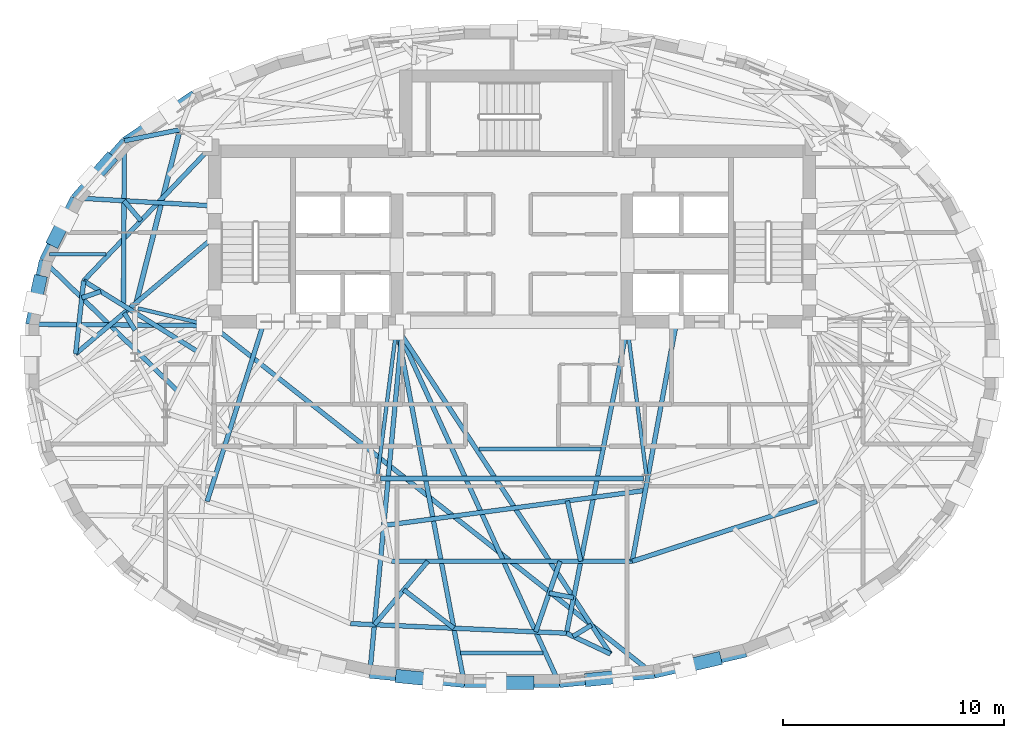
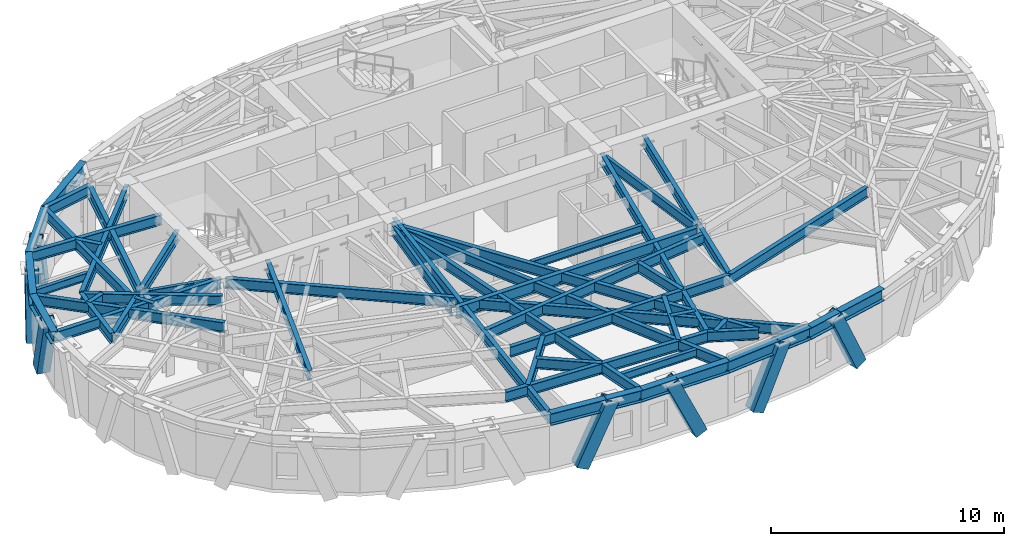
# One storey, part 2 of 12: 47 beams, 7 members.
"""IFC4 building model written with IfcOpenShell, lengths in metres."""

import ifcopenshell
import ifcopenshell.guid

model = None  # the IFC model being written
_history = None  # IfcOwnerHistory: only IFC2X3 demands one
_inside = {}  # id of a spatial element -> (the spatial element, [elements in it])
_under = {}  # id of a project, library or spatial element -> (it, [spatial elements below it])
_declared = {}  # id of a project -> (the project, [libraries it declares])
_typed = {}  # id of a type object -> (the type object, [elements of that type])
_made_of = {}  # id of a material, layer set ... -> (it, [elements and type objects made of it])


def new_model(schema):
    """Start an empty IFC model of exactly this schema.

    Asked for "IFC4X3", IfcOpenShell would pick the latest addendum, in which some entities
    have other attributes; the version numbers below select the first issue.
    IFC2X3 requires an IfcOwnerHistory on every rooted entity: one is made here for all.
    """
    global model, _history
    if schema == "IFC4X3":
        model = ifcopenshell.file(schema_version=(4, 3, 0, 0))
    else:
        model = ifcopenshell.file(schema=schema)
    _inside.clear()
    _under.clear()
    _declared.clear()
    _typed.clear()
    _made_of.clear()
    _history = None
    if model.schema == "IFC2X3":
        org = make("IfcOrganization", Name="unknown")
        user = make(
            "IfcPersonAndOrganization",
            ThePerson=make("IfcPerson", FamilyName="unknown"),
            TheOrganization=org,
        )
        app = make(
            "IfcApplication",
            ApplicationDeveloper=org,
            Version="unknown",
            ApplicationFullName="unknown",
            ApplicationIdentifier="unknown",
        )
        _history = make(
            "IfcOwnerHistory",
            OwningUser=user,
            OwningApplication=app,
            ChangeAction="ADDED",
            CreationDate=0,
        )
    return model


def make(cls, **values):
    """One entity of the class cls with the attributes given. An attribute that is None is left unset."""
    return model.create_entity(
        cls, **{name: value for name, value in values.items() if value is not None}
    )


def rooted(cls, **values):
    """An entity with a GlobalId (a new one), such as an element, a storey or a relation."""
    return make(cls, GlobalId=ifcopenshell.guid.new(), OwnerHistory=_history, **values)


def si_unit(unit_type, name, prefix=None):
    """IfcSIUnit, for example si_unit("LENGTHUNIT", "METRE", prefix="MILLI")."""
    return make("IfcSIUnit", UnitType=unit_type, Prefix=prefix, Name=name)


def assignment(units):
    """IfcUnitAssignment: the units of a project."""
    return None if units is None else make("IfcUnitAssignment", Units=units)


def point(xyz):
    """IfcCartesianPoint."""
    return None if xyz is None else make("IfcCartesianPoint", Coordinates=xyz)


def direction(xyz):
    """IfcDirection."""
    return None if xyz is None else make("IfcDirection", DirectionRatios=xyz)


def frame(location, z_axis=None, x_axis=None):
    """IfcAxis2Placement3D, a coordinate frame: its origin and axes. An axis left out is left unset."""
    return make(
        "IfcAxis2Placement3D",
        Location=point(location),
        Axis=direction(z_axis),
        RefDirection=direction(x_axis),
    )


def frame_2d(location, x_axis=None):
    """IfcAxis2Placement2D, a coordinate frame in the plane: its origin and x axis."""
    return make(
        "IfcAxis2Placement2D", Location=point(location), RefDirection=direction(x_axis)
    )


def origin():
    """The frame at (0, 0, 0) with its axes left unset."""
    return frame((0.0, 0.0, 0.0))


def origin_2d():
    """The frame at (0, 0) in the plane with its x axis left unset."""
    return frame_2d((0.0, 0.0))


def place(relative_to, where):
    """IfcLocalPlacement: puts the frame where relative to a parent placement (None: the world)."""
    return make(
        "IfcLocalPlacement", PlacementRelTo=relative_to, RelativePlacement=where
    )


def context(
    kind, dimensions, precision=None, world=None, true_north=None, identifier=None
):
    """IfcGeometricRepresentationContext, for example the 3D "Model" context."""
    return make(
        "IfcGeometricRepresentationContext",
        ContextIdentifier=identifier,
        ContextType=kind,
        CoordinateSpaceDimension=dimensions,
        Precision=precision,
        WorldCoordinateSystem=world,
        TrueNorth=true_north,
    )


def subcontext(parent, identifier, kind, view, scale=None):
    """IfcGeometricRepresentationSubContext, for example "Body" below "Model"."""
    return make(
        "IfcGeometricRepresentationSubContext",
        ContextIdentifier=identifier,
        ContextType=kind,
        ParentContext=parent,
        TargetScale=scale,
        TargetView=view,
    )


def project(units=None, contexts=None):
    """IfcProject with its units and contexts."""
    return rooted(
        "IfcProject",
        Name="project",
        RepresentationContexts=contexts,
        UnitsInContext=assignment(units),
    )


def spatial(cls, under=None, at=None, **own):
    """A site, building, storey or space (cls), placed at a placement, below another one or the project."""
    s = rooted(cls, ObjectPlacement=at, **own)
    if under is not None:
        _under.setdefault(under.id(), (under, []))[1].append(s)
    return s


def profile(cls, at=None, kind="AREA", **sizes):
    """A parametric profile (cls). Its sizes go by their IFC names, for example OverallWidth=200.0."""
    return make(cls, ProfileType=kind, Position=at, **sizes)


def hollow_rectangle(**sizes):
    """IfcRectangleHollowProfileDef."""
    return profile("IfcRectangleHollowProfileDef", **sizes)


def i_section(**sizes):
    """IfcIShapeProfileDef."""
    return profile("IfcIShapeProfileDef", **sizes)


def extrude(swept, where, along, depth):
    """IfcExtrudedAreaSolid: the profile swept, set in the frame where, extruded along a direction by depth."""
    return make(
        "IfcExtrudedAreaSolid",
        SweptArea=swept,
        Position=where,
        ExtrudedDirection=direction(along),
        Depth=depth,
    )


def shape(context_of_items, identifier, shape_type, items):
    """IfcShapeRepresentation: the items that make up one representation, for example the "Body"."""
    return make(
        "IfcShapeRepresentation",
        ContextOfItems=context_of_items,
        RepresentationIdentifier=identifier,
        RepresentationType=shape_type,
        Items=items,
    )


def material(Name=None, Category=None):
    """IfcMaterial."""
    return make("IfcMaterial", Name=Name, Category=Category)


def material_profile(
    of_material, cross_section, Name=None, Category=None, Priority=None
):
    """IfcMaterialProfile: a cross section and its material."""
    return make(
        "IfcMaterialProfile",
        Name=Name,
        Material=of_material,
        Profile=cross_section,
        Priority=Priority,
        Category=Category,
    )


def profile_set(profiles, Name=None, composite=None):
    """IfcMaterialProfileSet."""
    return make(
        "IfcMaterialProfileSet",
        Name=Name,
        MaterialProfiles=profiles,
        CompositeProfile=composite,
    )


def made_of(thing, what):
    """Note that an element or type object is made of a material, layer set ...; save() writes the relation."""
    if what is not None:
        _made_of.setdefault(what.id(), (what, []))[1].append(thing)
    return thing


def type_object(cls, material=None, **own):
    """A type object (cls), such as IfcWallType, which elements share."""
    return made_of(rooted(cls, **own), material)


def element(
    cls,
    number,
    at=None,
    inside=None,
    cuts=None,
    type_object=None,
    material=None,
    context=None,
    identifier="Body",
    shape_type=None,
    held_by="IfcProductDefinitionShape",
    body=None,
    shapes=None,
    **own,
):
    """One element of the class cls, such as IfcWall. Its Tag is "e" and its number.

    at: its placement. inside: the storey or other place that contains it. cuts: it is an
    opening in that element (IfcRelVoidsElement). A single representation is given by context,
    identifier, shape_type and body (its items); several are given by shapes. held_by: the class
    of the entity that holds the representations. save() writes the other relations.
    """
    e = rooted(cls, Tag="e%d" % number, ObjectPlacement=at, **own)
    if body is not None:
        shapes = [shape(context, identifier, shape_type, body)]
    if shapes is not None:
        e.Representation = make(held_by, Representations=shapes)
    if inside is not None:
        _inside.setdefault(inside.id(), (inside, []))[1].append(e)
    if cuts is not None:
        rooted(
            "IfcRelVoidsElement", RelatingBuildingElement=cuts, RelatedOpeningElement=e
        )
    if type_object is not None:
        _typed.setdefault(type_object.id(), (type_object, []))[1].append(e)
    return made_of(e, material)


def aggregate(whole, parts):
    """IfcRelAggregates: a whole, such as a stair, and the parts it consists of."""
    return rooted("IfcRelAggregates", RelatingObject=whole, RelatedObjects=parts)


def save(model, path):
    """Write the relations noted so far, then the file.

    IfcRelAggregates (storeys below a building ...), IfcRelContainedInSpatialStructure (elements
    in a storey), IfcRelDefinesByType, IfcRelAssociatesMaterial and IfcRelDeclares: one each for
    every whole, place, type object, material and project.
    """
    for whole, parts in _under.values():
        aggregate(whole, parts)
    for where, things in _inside.values():
        rooted(
            "IfcRelContainedInSpatialStructure",
            RelatedElements=things,
            RelatingStructure=where,
        )
    for kind, things in _typed.values():
        rooted("IfcRelDefinesByType", RelatedObjects=things, RelatingType=kind)
    for what, things in _made_of.values():
        rooted("IfcRelAssociatesMaterial", RelatedObjects=things, RelatingMaterial=what)
    for by, libraries in _declared.values():
        rooted("IfcRelDeclares", RelatingContext=by, RelatedDefinitions=libraries)
    model.write(path)


model = new_model("IFC4")

# Units and contexts
model_context = context("Model", 3, precision=1e-05, world=origin(), true_north=direction((0.0, 1.0)))
body_context = subcontext(model_context, "Body", "Model", "MODEL_VIEW")
ifc_project = project(units=[si_unit("LENGTHUNIT", "METRE"), si_unit("AREAUNIT", "SQUARE_METRE"), si_unit("VOLUMEUNIT", "CUBIC_METRE"), si_unit("PLANEANGLEUNIT", "RADIAN"), si_unit("MASSUNIT", "GRAM", prefix="KILO")], contexts=[model_context])

# Site, building, storey
site_placement = place(None, origin())
site = spatial("IfcSite", under=ifc_project, at=site_placement, CompositionType="ELEMENT")
building_placement = place(site_placement, origin())
building = spatial("IfcBuilding", under=site, at=building_placement, Name="Keldmark Tower", CompositionType="ELEMENT")
storey_placement = place(building_placement, frame((0.0, 0.0, 238.35009765625)))
storey = spatial("IfcBuildingStorey", under=building, at=storey_placement, Name="L67", CompositionType="ELEMENT", Elevation=238.35009765625)

# Beams
ifc_material_1 = material(Name="Steel ASTM A992 Grade 50", Category="steel")
ifc_material_profile_1 = material_profile(ifc_material_1, i_section(OverallWidth=0.177978515625, OverallDepth=0.403076171875, WebThickness=0.007568359375, FlangeThickness=0.010986328125, at=origin_2d()), Name="W16X36")
ifc_profile_set_1 = profile_set([ifc_material_profile_1], Name="Steel ASTM A992 Grade 50")
beam_type_1 = type_object("IfcBeamType", Name="Composite Floor Joist W16X36", PredefinedType="JOIST", material=ifc_profile_set_1)
beam_1_placement = place(storey_placement, frame((-2.3173828125, -13.3798828125, 2.768310546875), z_axis=(1.0, 0.0, 0.0), x_axis=(0.0, 1.0, 0.0)))
element("IfcBeam", 1, at=beam_1_placement, inside=storey, type_object=beam_type_1, Name="L67 Composite Floor Joist J01", PredefinedType="JOIST", context=body_context, shape_type="SweptSolid", body=[
    extrude(i_section(OverallWidth=0.177978515625, OverallDepth=0.403076171875, WebThickness=0.007568359375, FlangeThickness=0.010986328125, at=origin_2d()), origin(), (0.0, 0.0, 1.0), 3.7158203125),
])
beam_2_placement = place(storey_placement, frame((-1.49658203125, -4.179931640625, 2.768310546875), z_axis=(1.0, 0.0, 0.0), x_axis=(0.0, 1.0, 0.0)))
element("IfcBeam", 2, at=beam_2_placement, inside=storey, type_object=beam_type_1, Name="L67 Composite Floor Joist J04", PredefinedType="JOIST", context=body_context, shape_type="SweptSolid", body=[
    extrude(i_section(OverallWidth=0.177978515625, OverallDepth=0.403076171875, WebThickness=0.007568359375, FlangeThickness=0.010986328125, at=origin_2d()), origin(), (0.0, 0.0, 1.0), 5.510986328125),
])
beam_3_placement = place(storey_placement, frame((-20.87939453125, 4.6201171875, 2.768310546875), z_axis=(1.0, 0.0, 0.0), x_axis=(0.0, 1.0, 0.0)))
element("IfcBeam", 3, at=beam_3_placement, inside=storey, type_object=beam_type_1, Name="L67 Composite Floor Joist J06", PredefinedType="JOIST", context=body_context, shape_type="SweptSolid", body=[
    extrude(i_section(OverallWidth=0.177978515625, OverallDepth=0.403076171875, WebThickness=0.007568359375, FlangeThickness=0.010986328125, at=origin_2d()), origin(), (0.0, 0.0, 1.0), 2.54443359375),
])

# Members
ifc_material_2 = material(Name="Steel ASTM A572 Grade 50", Category="steel")
ifc_material_profile_2 = material_profile(ifc_material_2, hollow_rectangle(XDim=0.60009765625, YDim=0.60009765625, WallThickness=0.034912109375, at=origin_2d()), Name="BOX600X600X35")
ifc_profile_set_2 = profile_set([ifc_material_profile_2], Name="Steel ASTM A572 Grade 50")
member_type = type_object("IfcMemberType", Name="Diagrid Zone 4 Brace BOX600X600X35", PredefinedType="BRACE", material=ifc_profile_set_2)
member_1_placement = place(storey_placement, frame((-18.215087890625, 8.84521484375, -0.260009765625), z_axis=(-0.228331892863, -0.258908767835, 0.938525863597), x_axis=(0.750006003606, -0.661431020255, 0.0)))
element("IfcMember", 4, at=member_1_placement, inside=storey, type_object=member_type, Name="L67 Perimeter Diagrid Brace 07A", PredefinedType="BRACE", context=body_context, shape_type="SweptSolid", body=[
    extrude(hollow_rectangle(XDim=0.60009765625, YDim=0.60009765625, WallThickness=0.034912109375, at=origin_2d()), origin(), (0.0, 0.0, 1.0), 3.3134765625),
])
member_2_placement = place(storey_placement, frame((-20.66162109375, 5.265869140625, -0.260009765625), z_axis=(0.143211897869, 0.285382254663, 0.947653587041), x_axis=(-0.89377384963, 0.448517898993, 0.0)))
element("IfcMember", 5, at=member_2_placement, inside=storey, type_object=member_type, Name="L67 Perimeter Diagrid Brace 07B", PredefinedType="BRACE", context=body_context, shape_type="SweptSolid", body=[
    extrude(hollow_rectangle(XDim=0.60009765625, YDim=0.60009765625, WallThickness=0.034912109375, at=origin_2d()), origin(), (0.0, 0.0, 1.0), 3.28173828125),
])
member_3_placement = place(storey_placement, frame((-21.33544921875, 3.373291015625, -0.260009765625), z_axis=(-0.063814390527, -0.296329192117, 0.952951590303), x_axis=(0.977588814613, -0.210523418042, 0.0)))
element("IfcMember", 6, at=member_3_placement, inside=storey, type_object=member_type, Name="L67 Perimeter Diagrid Brace 08A", PredefinedType="BRACE", context=body_context, shape_type="SweptSolid", body=[
    extrude(hollow_rectangle(XDim=0.60009765625, YDim=0.60009765625, WallThickness=0.034912109375, at=origin_2d()), origin(), (0.0, 0.0, 1.0), 3.263427734375),
])
member_4_placement = place(storey_placement, frame((-4.982666015625, -14.448974609375, -0.260009765625), z_axis=(0.416462771452, -0.041211347697, 0.908218247348), x_axis=(0.09847468982, 0.995139555773, 0.0)))
element("IfcMember", 7, at=member_4_placement, inside=storey, type_object=member_type, Name="L67 Perimeter Diagrid Brace 12A", PredefinedType="BRACE", context=body_context, shape_type="SweptSolid", body=[
    extrude(hollow_rectangle(XDim=0.60009765625, YDim=0.60009765625, WallThickness=0.034912109375, at=origin_2d()), origin(), (0.0, 0.0, 1.0), 3.424072265625),
])
member_5_placement = place(storey_placement, frame((0.721923828125, -14.72900390625, -0.260009765625), z_axis=(-0.418289298544, 0.0, 0.908313856948), x_axis=(0.0, -1.0, 0.0)))
element("IfcMember", 8, at=member_5_placement, inside=storey, type_object=member_type, Name="L67 Perimeter Diagrid Brace 12B", PredefinedType="BRACE", context=body_context, shape_type="SweptSolid", body=[
    extrude(hollow_rectangle(XDim=0.60009765625, YDim=0.60009765625, WallThickness=0.034912109375, at=origin_2d()), origin(), (0.0, 0.0, 1.0), 3.423828125),
])
member_6_placement = place(storey_placement, frame((3.568115234375, -14.587890625, -0.260009765625), z_axis=(0.416461546679, 0.041282526199, 0.908215576374), x_axis=(-0.09864340487, 0.995122846022, 0.0)))
element("IfcMember", 9, at=member_6_placement, inside=storey, type_object=member_type, Name="L67 Perimeter Diagrid Brace 13A", PredefinedType="BRACE", context=body_context, shape_type="SweptSolid", body=[
    extrude(hollow_rectangle(XDim=0.60009765625, YDim=0.60009765625, WallThickness=0.034912109375, at=origin_2d()), origin(), (0.0, 0.0, 1.0), 3.424072265625),
])
member_7_placement = place(storey_placement, frame((9.171142578125, -13.67041015625, -0.260009765625), z_axis=(-0.404111307666, -0.093223485329, 0.909946939552), x_axis=(0.224784026434, -0.974408611138, 0.0)))
element("IfcMember", 10, at=member_7_placement, inside=storey, type_object=member_type, Name="L67 Perimeter Diagrid Brace 13B", PredefinedType="BRACE", context=body_context, shape_type="SweptSolid", body=[
    extrude(hollow_rectangle(XDim=0.60009765625, YDim=0.60009765625, WallThickness=0.034912109375, at=origin_2d()), origin(), (0.0, 0.0, 1.0), 3.417724609375),
])

# Beams
ifc_material_3 = material(Name="Steel ASTM A992 Grade 50", Category="steel")
ifc_material_profile_3 = material_profile(ifc_material_3, i_section(OverallWidth=0.22802734375, OverallDepth=0.60302734375, WebThickness=0.010498046875, FlangeThickness=0.014892578125, at=origin_2d()), Name="W24X68")
ifc_profile_set_3 = profile_set([ifc_material_profile_3], Name="Steel ASTM A992 Grade 50")
beam_type_2 = type_object("IfcBeamType", Name="Primary Floor Girder W24X68", PredefinedType="BEAM", material=ifc_profile_set_3)
beam_4_placement = place(storey_placement, frame((-15.030029296875, 10.10791015625, 2.66845703125), z_axis=(-0.244902129455, -0.969547805417, 0.0), x_axis=(0.969547805417, -0.244902129455, 0.0)))
element("IfcBeam", 11, at=beam_4_placement, inside=storey, type_object=beam_type_2, Name="L67 Floor Ring Girder FG-R05", PredefinedType="BEAM", context=body_context, shape_type="SweptSolid", body=[
    extrude(i_section(OverallWidth=0.22802734375, OverallDepth=0.60302734375, WebThickness=0.010498046875, FlangeThickness=0.014892578125, at=origin_2d()), origin(), (0.0, 0.0, 1.0), 8.008056640625),
])
beam_5_placement = place(storey_placement, frame((-5.949462890625, -5.512939453125, 2.66845703125), z_axis=(1.0, 0.0, 0.0), x_axis=(0.0, 1.0, 0.0)))
element("IfcBeam", 12, at=beam_5_placement, inside=storey, type_object=beam_type_2, Name="L67 Floor Ring Girder FG-R09", PredefinedType="BEAM", context=body_context, shape_type="SweptSolid", body=[
    extrude(i_section(OverallWidth=0.22802734375, OverallDepth=0.60302734375, WebThickness=0.010498046875, FlangeThickness=0.014892578125, at=origin_2d()), origin(), (0.0, 0.0, 1.0), 11.89892578125),
])
ifc_material_4 = material(Name="Steel ASTM A992 Grade 50", Category="steel")
ifc_material_profile_4 = material_profile(ifc_material_4, i_section(OverallWidth=0.166015625, OverallDepth=0.529052734375, WebThickness=0.009765625, FlangeThickness=0.013671875, at=origin_2d()), Name="W21X50")
ifc_profile_set_4 = profile_set([ifc_material_profile_4], Name="Steel ASTM A992 Grade 50")
beam_type_3 = type_object("IfcBeamType", Name="Radial Tie Girder W21X50", PredefinedType="BEAM", material=ifc_profile_set_4)
beam_6_placement = place(storey_placement, frame((-16.889404296875, 2.17578125, 2.705322265625), z_axis=(0.97329039005, -0.229577474147, 0.0), x_axis=(0.229577474147, 0.97329039005, 0.0)))
element("IfcBeam", 13, at=beam_6_placement, inside=storey, type_object=beam_type_3, Name="L67 Floor Radial Girder FG-C06", PredefinedType="BEAM", context=body_context, shape_type="SweptSolid", body=[
    extrude(i_section(OverallWidth=0.166015625, OverallDepth=0.529052734375, WebThickness=0.009765625, FlangeThickness=0.013671875, at=origin_2d()), origin(), (0.0, 0.0, 1.0), 3.0595703125),
])
for number, where, z_axis, x_axis, name in (
    (14, (-6.071533203125, -5.3740234375, 2.705322265625), (0.127625044513, 0.991822488157, 0.0), (-0.991822488157, 0.127625044513, 0.0), "L67 Floor Radial Girder FG-C09"),
    (15, (6.071533203125, -5.3740234375, 2.705322265625), (-0.127625044513, 0.991822488157, 0.0), (-0.991822488157, -0.127625044513, 0.0), "L67 Floor Radial Girder FG-C10"),
):
    element("IfcBeam", number, at=place(storey_placement, frame(where, z_axis=z_axis, x_axis=x_axis)), inside=storey, type_object=beam_type_3, Name=name, PredefinedType="BEAM", context=body_context, shape_type="SweptSolid", body=[
        extrude(i_section(OverallWidth=0.166015625, OverallDepth=0.529052734375, WebThickness=0.009765625, FlangeThickness=0.013671875, at=origin_2d()), origin(), (0.0, 0.0, 1.0), 6.509765625),
    ])
ifc_material_5 = material(Name="Steel ASTM A992 Grade 50", Category="steel")
ifc_material_profile_5 = material_profile(ifc_material_5, i_section(OverallWidth=0.2099609375, OverallDepth=0.537109375, WebThickness=0.010986328125, FlangeThickness=0.017333984375, at=origin_2d()), Name="W21X68")
ifc_profile_set_5 = profile_set([ifc_material_profile_5], Name="Steel ASTM A992 Grade 50")
beam_type_4 = type_object("IfcBeamType", Name="Radial Tie Girder W21X68", PredefinedType="BEAM", material=ifc_profile_set_5)
beam_7_placement = place(storey_placement, frame((-17.025634765625, 1.189697265625, 2.701416015625), z_axis=(-0.527856749406, 0.849333416337, 0.0), x_axis=(-0.849333416337, -0.527856749406, 0.0)))
element("IfcBeam", 16, at=beam_7_placement, inside=storey, type_object=beam_type_4, Name="L67 Framing Pin Header PH-001", PredefinedType="BEAM", context=body_context, shape_type="SweptSolid", body=[
    extrude(i_section(OverallWidth=0.2099609375, OverallDepth=0.537109375, WebThickness=0.010986328125, FlangeThickness=0.017333984375, at=origin_2d()), origin(), (0.0, 0.0, 1.0), 0.922607421875),
])
beam_8_placement = place(storey_placement, frame((-13.425048828125, 5.425048828125, 2.701416015625), z_axis=(-0.764059179504, -0.645146161901, 0.0), x_axis=(0.645146161901, -0.764059179504, 0.0)))
element("IfcBeam", 17, at=beam_8_placement, inside=storey, type_object=beam_type_4, Name="L67 Sub-Ring Step Girder STP1-M07", PredefinedType="BEAM", context=body_context, shape_type="SweptSolid", body=[
    extrude(i_section(OverallWidth=0.2099609375, OverallDepth=0.537109375, WebThickness=0.010986328125, FlangeThickness=0.017333984375, at=origin_2d()), origin(), (0.0, 0.0, 1.0), 8.224609375),
])
beam_9_placement = place(storey_placement, frame((-11.19287109375, 1.574951171875, 2.701416015625), z_axis=(-0.3023360028, -0.953201417021, 0.0), x_axis=(0.953201417021, -0.3023360028, 0.0)))
element("IfcBeam", 18, at=beam_9_placement, inside=storey, type_object=beam_type_4, Name="L67 Sub-Ring Step Girder STP1-M08", PredefinedType="BEAM", context=body_context, shape_type="SweptSolid", body=[
    extrude(i_section(OverallWidth=0.2099609375, OverallDepth=0.537109375, WebThickness=0.010986328125, FlangeThickness=0.017333984375, at=origin_2d()), origin(), (0.0, 0.0, 1.0), 8.514404296875),
])
beam_10_placement = place(storey_placement, frame((-5.731201171875, -7.622314453125, 2.701416015625), z_axis=(0.991115173164, 0.133006441662, 0.0), x_axis=(-0.133006441662, 0.991115173164, 0.0)))
element("IfcBeam", 19, at=beam_10_placement, inside=storey, type_object=beam_type_4, Name="L67 Framing Pin Header PH-004", PredefinedType="BEAM", context=body_context, shape_type="SweptSolid", body=[
    extrude(i_section(OverallWidth=0.2099609375, OverallDepth=0.537109375, WebThickness=0.010986328125, FlangeThickness=0.017333984375, at=origin_2d()), origin(), (0.0, 0.0, 1.0), 11.859619140625),
])
beam_11_placement = place(storey_placement, frame((7.43212890625, 1.574951171875, 2.701416015625), z_axis=(-0.181862035839, -0.983324056413, 0.0), x_axis=(0.983324056413, -0.181862035839, 0.0)))
element("IfcBeam", 20, at=beam_11_placement, inside=storey, type_object=beam_type_4, Name="L67 Sub-Ring Step Girder STP1-M10", PredefinedType="BEAM", context=body_context, shape_type="SweptSolid", body=[
    extrude(i_section(OverallWidth=0.2099609375, OverallDepth=0.537109375, WebThickness=0.010986328125, FlangeThickness=0.017333984375, at=origin_2d()), origin(), (0.0, 0.0, 1.0), 11.004150390625),
])
beam_12_placement = place(storey_placement, frame((-5.430908203125, -9.24560546875, 2.701416015625), z_axis=(1.0, 0.0, 0.0), x_axis=(0.0, 1.0, 0.0)))
element("IfcBeam", 21, at=beam_12_placement, inside=storey, type_object=beam_type_4, Name="L67 Perimeter Collector Ring Beam CRG1-M09", PredefinedType="BEAM", context=body_context, shape_type="SweptSolid", body=[
    extrude(i_section(OverallWidth=0.2099609375, OverallDepth=0.537109375, WebThickness=0.010986328125, FlangeThickness=0.017333984375, at=origin_2d()), origin(), (0.0, 0.0, 1.0), 10.86181640625),
])
beam_13_placement = place(storey_placement, frame((5.430908203125, -9.24560546875, 2.701416015625), z_axis=(0.951190555886, 0.308604158094, 0.0), x_axis=(-0.308604158094, 0.951190555886, 0.0)))
element("IfcBeam", 22, at=beam_13_placement, inside=storey, type_object=beam_type_4, Name="L67 Perimeter Collector Ring Beam CRG1-M10", PredefinedType="BEAM", context=body_context, shape_type="SweptSolid", body=[
    extrude(i_section(OverallWidth=0.2099609375, OverallDepth=0.537109375, WebThickness=0.010986328125, FlangeThickness=0.017333984375, at=origin_2d()), origin(), (0.0, 0.0, 1.0), 8.763916015625),
])
beam_14_placement = place(storey_placement, frame((2.49658203125, -6.518310546875, 2.701416015625), z_axis=(0.218391640192, -0.975861205036, 0.0), x_axis=(0.975861205036, 0.218391640192, 0.0)))
element("IfcBeam", 23, at=beam_14_placement, inside=storey, type_object=beam_type_4, Name="L67 Framing Pin Header PH-010", PredefinedType="BEAM", context=body_context, shape_type="SweptSolid", body=[
    extrude(i_section(OverallWidth=0.2099609375, OverallDepth=0.537109375, WebThickness=0.010986328125, FlangeThickness=0.017333984375, at=origin_2d()), origin(), (0.0, 0.0, 1.0), 2.794677734375),
])
beam_15_placement = place(storey_placement, frame((5.199951171875, 1.300048828125, 2.701416015625), z_axis=(-0.194673845124, -0.980868030891, 0.0), x_axis=(0.980868030891, -0.194673845124, 0.0)))
element("IfcBeam", 24, at=beam_15_placement, inside=storey, type_object=beam_type_4, Name="L67 Sub-Ring Step Girder STP2-M10", PredefinedType="BEAM", context=body_context, shape_type="SweptSolid", body=[
    extrude(i_section(OverallWidth=0.2099609375, OverallDepth=0.537109375, WebThickness=0.010986328125, FlangeThickness=0.017333984375, at=origin_2d()), origin(), (0.0, 0.0, 1.0), 14.064697265625),
])
beam_16_placement = place(storey_placement, frame((-7.2841796875, -12.06103515625, 2.701416015625), z_axis=(0.99900738248, -0.044544918357, 0.0), x_axis=(0.044544918357, 0.99900738248, 0.0)))
element("IfcBeam", 25, at=beam_16_placement, inside=storey, type_object=beam_type_4, Name="L67 Perimeter Collector Ring Beam CRG2-M09", PredefinedType="BEAM", context=body_context, shape_type="SweptSolid", body=[
    extrude(i_section(OverallWidth=0.2099609375, OverallDepth=0.537109375, WebThickness=0.010986328125, FlangeThickness=0.017333984375, at=origin_2d()), origin(), (0.0, 0.0, 1.0), 9.755859375),
])
beam_17_placement = place(storey_placement, frame((-14.995849609375, 10.24365234375, 2.701416015625), z_axis=(-0.9805513071, -0.19626292096, 0.0), x_axis=(0.19626292096, -0.9805513071, 0.0)))
element("IfcBeam", 26, at=beam_17_placement, inside=storey, type_object=beam_type_4, Name="L67 Perimeter Column Bracket RT-13", PredefinedType="BEAM", context=body_context, shape_type="SweptSolid", body=[
    extrude(i_section(OverallWidth=0.2099609375, OverallDepth=0.537109375, WebThickness=0.010986328125, FlangeThickness=0.017333984375, at=origin_2d()), origin(), (0.0, 0.0, 1.0), 2.558837890625),
])
beam_18_placement = place(storey_placement, frame((-17.5048828125, 9.741455078125, 2.701416015625), z_axis=(-0.005976315955, -0.999982141664, 0.0), x_axis=(0.999982141664, -0.005976315955, 0.0)))
element("IfcBeam", 27, at=beam_18_placement, inside=storey, type_object=beam_type_4, Name="L67 Framing Pin Header PH-018", PredefinedType="BEAM", context=body_context, shape_type="SweptSolid", body=[
    extrude(i_section(OverallWidth=0.2099609375, OverallDepth=0.537109375, WebThickness=0.010986328125, FlangeThickness=0.017333984375, at=origin_2d()), origin(), (0.0, 0.0, 1.0), 7.43505859375),
])
beam_19_placement = place(storey_placement, frame((-14.197021484375, 0.225341796875, 2.701416015625), z_axis=(-0.849577264473, 0.52746418996, 0.0), x_axis=(-0.52746418996, -0.849577264473, 0.0)))
element("IfcBeam", 28, at=beam_19_placement, inside=storey, type_object=beam_type_4, Name="L67 Intermediate Radial Step Girder RT-15M", PredefinedType="BEAM", context=body_context, shape_type="SweptSolid", body=[
    extrude(i_section(OverallWidth=0.2099609375, OverallDepth=0.537109375, WebThickness=0.010986328125, FlangeThickness=0.017333984375, at=origin_2d()), origin(), (0.0, 0.0, 1.0), 6.057373046875),
])
beam_20_placement = place(storey_placement, frame((-19.709228515625, 0.118896484375, 2.701416015625), z_axis=(0.110173383311, 0.993912383266, 0.0), x_axis=(-0.993912383266, 0.110173383311, 0.0)))
element("IfcBeam", 29, at=beam_20_placement, inside=storey, type_object=beam_type_4, Name="L67 Local Collector Chord RT-15C", PredefinedType="BEAM", context=body_context, shape_type="SweptSolid", body=[
    extrude(i_section(OverallWidth=0.2099609375, OverallDepth=0.537109375, WebThickness=0.010986328125, FlangeThickness=0.017333984375, at=origin_2d()), origin(), (0.0, 0.0, 1.0), 3.32177734375),
])
beam_21_placement = place(storey_placement, frame((-18.5712890625, 2.941162109375, 2.701416015625), z_axis=(-0.947325582596, -0.320272135159, 0.0), x_axis=(0.320272135159, -0.947325582596, 0.0)))
element("IfcBeam", 30, at=beam_21_placement, inside=storey, type_object=beam_type_4, Name="L67 Framing Pin Header PH-019", PredefinedType="BEAM", context=body_context, shape_type="SweptSolid", body=[
    extrude(i_section(OverallWidth=0.2099609375, OverallDepth=0.537109375, WebThickness=0.010986328125, FlangeThickness=0.017333984375, at=origin_2d()), origin(), (0.0, 0.0, 1.0), 0.90478515625),
])
beam_22_placement = place(storey_placement, frame((-15.100830078125, -1.55322265625, 2.701416015625), z_axis=(-0.717222249337, 0.6968444913, 0.0), x_axis=(-0.6968444913, -0.717222249337, 0.0)))
element("IfcBeam", 31, at=beam_22_placement, inside=storey, type_object=beam_type_4, Name="L67 Perimeter Radial Tie Girder RT-15", PredefinedType="BEAM", context=body_context, shape_type="SweptSolid", body=[
    extrude(i_section(OverallWidth=0.2099609375, OverallDepth=0.537109375, WebThickness=0.010986328125, FlangeThickness=0.017333984375, at=origin_2d()), origin(), (0.0, 0.0, 1.0), 8.482421875),
])
beam_23_placement = place(storey_placement, frame((-13.60009765625, 1.39990234375, 2.701416015625), z_axis=(-0.999976198415, 0.006899464031, 0.0), x_axis=(-0.006899464031, -0.999976198415, 0.0)))
element("IfcBeam", 32, at=beam_23_placement, inside=storey, type_object=beam_type_4, Name="L67 Perimeter Radial Tie Girder RT-16", PredefinedType="BEAM", context=body_context, shape_type="SweptSolid", body=[
    extrude(i_section(OverallWidth=0.2099609375, OverallDepth=0.537109375, WebThickness=0.010986328125, FlangeThickness=0.017333984375, at=origin_2d()), origin(), (0.0, 0.0, 1.0), 8.20947265625),
])
beam_24_placement = place(storey_placement, frame((-3.8017578125, -9.24560546875, 2.701416015625), z_axis=(-0.644274307171, -0.76479449339, 0.0), x_axis=(0.76479449339, -0.644274307171, 0.0)))
element("IfcBeam", 33, at=beam_24_placement, inside=storey, type_object=beam_type_4, Name="L67 Framing Pin Header PH-027", PredefinedType="BEAM", context=body_context, shape_type="SweptSolid", body=[
    extrude(i_section(OverallWidth=0.2099609375, OverallDepth=0.537109375, WebThickness=0.010986328125, FlangeThickness=0.017333984375, at=origin_2d()), origin(), (0.0, 0.0, 1.0), 3.74365234375),
])
beam_25_placement = place(storey_placement, frame((-4.925048828125, 1.574951171875, 2.701416015625), z_axis=(-0.09376489152, -0.995594367761, 0.0), x_axis=(0.995594367761, -0.09376489152, 0.0)))
element("IfcBeam", 34, at=beam_25_placement, inside=storey, type_object=beam_type_4, Name="L67 Perimeter Radial Tie Girder RT-23", PredefinedType="BEAM", context=body_context, shape_type="SweptSolid", body=[
    extrude(i_section(OverallWidth=0.2099609375, OverallDepth=0.537109375, WebThickness=0.010986328125, FlangeThickness=0.017333984375, at=origin_2d()), origin(), (0.0, 0.0, 1.0), 16.010498046875),
])
beam_26_placement = place(storey_placement, frame((-4.88720703125, -10.533935546875, 2.701416015625), z_axis=(0.793362245365, -0.608749823514, 0.0), x_axis=(0.608749823514, 0.793362245365, 0.0)))
element("IfcBeam", 35, at=beam_26_placement, inside=storey, type_object=beam_type_4, Name="L67 Framing Pin Header PH-028", PredefinedType="BEAM", context=body_context, shape_type="SweptSolid", body=[
    extrude(i_section(OverallWidth=0.2099609375, OverallDepth=0.537109375, WebThickness=0.010986328125, FlangeThickness=0.017333984375, at=origin_2d()), origin(), (0.0, 0.0, 1.0), 2.849853515625),
])
beam_27_placement = place(storey_placement, frame((-5.199951171875, 1.300048828125, 2.701416015625), z_axis=(0.186372854094, -0.982479088458, 0.0), x_axis=(0.982479088458, 0.186372854094, 0.0)))
element("IfcBeam", 36, at=beam_27_placement, inside=storey, type_object=beam_type_4, Name="L67 Perimeter Radial Tie Girder RT-24", PredefinedType="BEAM", context=body_context, shape_type="SweptSolid", body=[
    extrude(i_section(OverallWidth=0.2099609375, OverallDepth=0.537109375, WebThickness=0.010986328125, FlangeThickness=0.017333984375, at=origin_2d()), origin(), (0.0, 0.0, 1.0), 16.375732421875),
])
beam_28_placement = place(storey_placement, frame((2.17236328125, -9.24560546875, 2.701416015625), z_axis=(-0.326200390309, -0.945300642844, 0.0), x_axis=(0.945300642844, -0.326200390309, 0.0)))
element("IfcBeam", 37, at=beam_28_placement, inside=storey, type_object=beam_type_4, Name="L67 Framing Pin Header PH-029", PredefinedType="BEAM", context=body_context, shape_type="SweptSolid", body=[
    extrude(i_section(OverallWidth=0.2099609375, OverallDepth=0.537109375, WebThickness=0.010986328125, FlangeThickness=0.017333984375, at=origin_2d()), origin(), (0.0, 0.0, 1.0), 3.37255859375),
])
beam_29_placement = place(storey_placement, frame((-5.199951171875, 1.300048828125, 2.701416015625), z_axis=(0.415431897984, -0.909624284052, 0.0), x_axis=(0.909624284052, 0.415431897984, 0.0)))
element("IfcBeam", 38, at=beam_29_placement, inside=storey, type_object=beam_type_4, Name="L67 Perimeter Radial Tie Girder RT-25", PredefinedType="BEAM", context=body_context, shape_type="SweptSolid", body=[
    extrude(i_section(OverallWidth=0.2099609375, OverallDepth=0.537109375, WebThickness=0.010986328125, FlangeThickness=0.017333984375, at=origin_2d()), origin(), (0.0, 0.0, 1.0), 17.687255859375),
])
beam_30_placement = place(storey_placement, frame((1.677490234375, -10.68017578125, 2.701416015625), z_axis=(0.982448762566, -0.186532648436, 0.0), x_axis=(0.186532648436, 0.982448762566, 0.0)))
element("IfcBeam", 39, at=beam_30_placement, inside=storey, type_object=beam_type_4, Name="L67 Framing Pin Header PH-030", PredefinedType="BEAM", context=body_context, shape_type="SweptSolid", body=[
    extrude(i_section(OverallWidth=0.2099609375, OverallDepth=0.537109375, WebThickness=0.010986328125, FlangeThickness=0.017333984375, at=origin_2d()), origin(), (0.0, 0.0, 1.0), 1.123046875),
])
beam_31_placement = place(storey_placement, frame((-5.199951171875, 1.300048828125, 2.701416015625), z_axis=(0.547749891834, -0.836642131378, 0.0), x_axis=(0.836642131378, 0.547749891834, 0.0)))
element("IfcBeam", 40, at=beam_31_placement, inside=storey, type_object=beam_type_4, Name="L67 Intermediate Radial Step Girder RT-26M", PredefinedType="BEAM", context=body_context, shape_type="SweptSolid", body=[
    extrude(i_section(OverallWidth=0.2099609375, OverallDepth=0.537109375, WebThickness=0.010986328125, FlangeThickness=0.017333984375, at=origin_2d()), origin(), (0.0, 0.0, 1.0), 17.606689453125),
])
beam_32_placement = place(storey_placement, frame((2.4619140625, -12.49560546875, 2.701416015625), z_axis=(0.904462408637, -0.42655333941, 0.0), x_axis=(0.42655333941, 0.904462408637, 0.0)))
element("IfcBeam", 41, at=beam_32_placement, inside=storey, type_object=beam_type_4, Name="L67 Local Collector Chord RT-26C", PredefinedType="BEAM", context=body_context, shape_type="SweptSolid", body=[
    extrude(i_section(OverallWidth=0.2099609375, OverallDepth=0.537109375, WebThickness=0.010986328125, FlangeThickness=0.017333984375, at=origin_2d()), origin(), (0.0, 0.0, 1.0), 2.191650390625),
])
beam_33_placement = place(storey_placement, frame((2.75927734375, -12.6357421875, 2.701416015625), z_axis=(0.853937318709, 0.52037587926, 0.0), x_axis=(-0.52037587926, 0.853937318709, 0.0)))
element("IfcBeam", 42, at=beam_33_placement, inside=storey, type_object=beam_type_4, Name="L67 Framing Pin Header PH-031", PredefinedType="BEAM", context=body_context, shape_type="SweptSolid", body=[
    extrude(i_section(OverallWidth=0.2099609375, OverallDepth=0.537109375, WebThickness=0.010986328125, FlangeThickness=0.017333984375, at=origin_2d()), origin(), (0.0, 0.0, 1.0), 0.974853515625),
])
beam_34_placement = place(storey_placement, frame((-13.425048828125, 1.300048828125, 2.701416015625), z_axis=(0.785018420689, -0.619472420031, 0.0), x_axis=(0.619472420031, 0.785018420689, 0.0)))
element("IfcBeam", 43, at=beam_34_placement, inside=storey, type_object=beam_type_4, Name="L67 Perimeter Radial Tie Girder RT-26", PredefinedType="BEAM", context=body_context, shape_type="SweptSolid", body=[
    extrude(i_section(OverallWidth=0.2099609375, OverallDepth=0.537109375, WebThickness=0.010986328125, FlangeThickness=0.017333984375, at=origin_2d()), origin(), (0.0, 0.0, 1.0), 25.28759765625),
])
beam_35_placement = place(storey_placement, frame((-13.60009765625, 9.449951171875, 2.701416015625), z_axis=(-0.689702025718, -0.724093305949, 0.0), x_axis=(0.724093305949, -0.689702025718, 0.0)))
element("IfcBeam", 44, at=beam_35_placement, inside=storey, type_object=beam_type_4, Name="L67 Straddling Support Chord RT-14RB", PredefinedType="BEAM", context=body_context, shape_type="SweptSolid", body=[
    extrude(i_section(OverallWidth=0.2099609375, OverallDepth=0.537109375, WebThickness=0.010986328125, FlangeThickness=0.017333984375, at=origin_2d()), origin(), (0.0, 0.0, 1.0), 8.326904296875),
])
beam_36_placement = place(storey_placement, frame((-16.7587890625, 6.1337890625, 2.701416015625), z_axis=(-0.644987840784, 0.764192832498, 0.0), x_axis=(-0.764192832498, -0.644987840784, 0.0)))
element("IfcBeam", 45, at=beam_36_placement, inside=storey, type_object=beam_type_4, Name="L67 Framing Pin Header PH-044", PredefinedType="BEAM", context=body_context, shape_type="SweptSolid", body=[
    extrude(i_section(OverallWidth=0.2099609375, OverallDepth=0.537109375, WebThickness=0.010986328125, FlangeThickness=0.017333984375, at=origin_2d()), origin(), (0.0, 0.0, 1.0), 1.181640625),
])
beam_37_placement = place(storey_placement, frame((-13.425048828125, 6.800048828125, 2.701416015625), z_axis=(-0.998332122383, 0.057731909876, 0.0), x_axis=(-0.057731909876, -0.998332122383, 0.0)))
element("IfcBeam", 46, at=beam_37_placement, inside=storey, type_object=beam_type_4, Name="L67 Perimeter Radial Tie Girder RT-14R", PredefinedType="BEAM", context=body_context, shape_type="SweptSolid", body=[
    extrude(i_section(OverallWidth=0.2099609375, OverallDepth=0.537109375, WebThickness=0.010986328125, FlangeThickness=0.017333984375, at=origin_2d()), origin(), (0.0, 0.0, 1.0), 6.360107421875),
])
ifc_material_6 = material(Name="Steel ASTM A992 Grade 50", Category="steel")
ifc_material_profile_6 = material_profile(ifc_material_6, i_section(OverallWidth=0.326904296875, OverallDepth=0.6220703125, WebThickness=0.015380859375, FlangeThickness=0.0244140625, at=origin_2d()), Name="W24X131")
ifc_profile_set_6 = profile_set([ifc_material_profile_6], Name="Steel ASTM A992 Grade 50")
beam_type_5 = type_object("IfcBeamType", Name="Spandrel Ring Beam W24X131", PredefinedType="SPANDREL", material=ifc_profile_set_6)
beam_38_placement = place(storey_placement, frame((-14.365966796875, 11.8701171875, 2.658935546875), z_axis=(-0.827637036896, -0.561263694851, 0.0), x_axis=(0.561263694851, -0.827637036896, 0.0)))
element("IfcBeam", 47, at=beam_38_placement, inside=storey, type_object=beam_type_5, Name="L67 Perimeter Spandrel Ring Beam SRB-12", PredefinedType="SPANDREL", context=body_context, shape_type="SweptSolid", body=[
    extrude(i_section(OverallWidth=0.326904296875, OverallDepth=0.6220703125, WebThickness=0.015380859375, FlangeThickness=0.0244140625, at=origin_2d()), origin(), (0.0, 0.0, 1.0), 3.792724609375),
])
beam_39_placement = place(storey_placement, frame((-17.5048828125, 9.741455078125, 2.658935546875), z_axis=(-0.66136043846, -0.750068243855, 0.0), x_axis=(0.750068243855, -0.66136043846, 0.0)))
element("IfcBeam", 48, at=beam_39_placement, inside=storey, type_object=beam_type_5, Name="L67 Perimeter Spandrel Ring Beam SRB-13", PredefinedType="SPANDREL", context=body_context, shape_type="SweptSolid", body=[
    extrude(i_section(OverallWidth=0.326904296875, OverallDepth=0.6220703125, WebThickness=0.015380859375, FlangeThickness=0.0244140625, at=origin_2d()), origin(), (0.0, 0.0, 1.0), 3.431884765625),
])
beam_40_placement = place(storey_placement, frame((-19.774658203125, 7.167236328125, 2.658935546875), z_axis=(-0.448517898993, -0.89377384963, 0.0), x_axis=(0.89377384963, -0.448517898993, 0.0)))
element("IfcBeam", 49, at=beam_40_placement, inside=storey, type_object=beam_type_5, Name="L67 Perimeter Spandrel Ring Beam SRB-14", PredefinedType="SPANDREL", context=body_context, shape_type="SweptSolid", body=[
    extrude(i_section(OverallWidth=0.326904296875, OverallDepth=0.6220703125, WebThickness=0.015380859375, FlangeThickness=0.0244140625, at=origin_2d()), origin(), (0.0, 0.0, 1.0), 3.1435546875),
])
beam_41_placement = place(storey_placement, frame((-21.1845703125, 4.357666015625, 2.658935546875), z_axis=(-0.210523418042, -0.977588814613, 0.0), x_axis=(0.977588814613, -0.210523418042, 0.0)))
element("IfcBeam", 50, at=beam_41_placement, inside=storey, type_object=beam_type_5, Name="L67 Perimeter Spandrel Ring Beam SRB-15", PredefinedType="SPANDREL", context=body_context, shape_type="SweptSolid", body=[
    extrude(i_section(OverallWidth=0.326904296875, OverallDepth=0.6220703125, WebThickness=0.015380859375, FlangeThickness=0.0244140625, at=origin_2d()), origin(), (0.0, 0.0, 1.0), 2.967529296875),
])
beam_42_placement = place(storey_placement, frame((-6.42626953125, -14.364990234375, 2.658935546875), z_axis=(0.995128970973, -0.098581596303, 0.0), x_axis=(0.098581596303, 0.995128970973, 0.0)))
element("IfcBeam", 51, at=beam_42_placement, inside=storey, type_object=beam_type_5, Name="L67 Perimeter Spandrel Ring Beam SRB-23", PredefinedType="SPANDREL", context=body_context, shape_type="SweptSolid", body=[
    extrude(i_section(OverallWidth=0.326904296875, OverallDepth=0.6220703125, WebThickness=0.015380859375, FlangeThickness=0.0244140625, at=origin_2d()), origin(), (0.0, 0.0, 1.0), 4.29931640625),
])
beam_43_placement = place(storey_placement, frame((-2.14794921875, -14.788818359375, 2.658935546875), z_axis=(1.0, 0.0, 0.0), x_axis=(0.0, 1.0, 0.0)))
element("IfcBeam", 52, at=beam_43_placement, inside=storey, type_object=beam_type_5, Name="L67 Perimeter Spandrel Ring Beam SRB-24", PredefinedType="SPANDREL", context=body_context, shape_type="SweptSolid", body=[
    extrude(i_section(OverallWidth=0.326904296875, OverallDepth=0.6220703125, WebThickness=0.015380859375, FlangeThickness=0.0244140625, at=origin_2d()), origin(), (0.0, 0.0, 1.0), 4.2958984375),
])
beam_44_placement = place(storey_placement, frame((2.14794921875, -14.788818359375, 2.658935546875), z_axis=(0.995128970973, 0.098581596303, 0.0), x_axis=(-0.098581596303, 0.995128970973, 0.0)))
element("IfcBeam", 53, at=beam_44_placement, inside=storey, type_object=beam_type_5, Name="L67 Perimeter Spandrel Ring Beam SRB-25", PredefinedType="SPANDREL", context=body_context, shape_type="SweptSolid", body=[
    extrude(i_section(OverallWidth=0.326904296875, OverallDepth=0.6220703125, WebThickness=0.015380859375, FlangeThickness=0.0244140625, at=origin_2d()), origin(), (0.0, 0.0, 1.0), 4.29931640625),
])
beam_45_placement = place(storey_placement, frame((6.42626953125, -14.364990234375, 2.658935546875), z_axis=(0.974411512007, 0.224771451185, 0.0), x_axis=(-0.224771451185, 0.974411512007, 0.0)))
element("IfcBeam", 54, at=beam_45_placement, inside=storey, type_object=beam_type_5, Name="L67 Perimeter Spandrel Ring Beam SRB-26", PredefinedType="SPANDREL", context=body_context, shape_type="SweptSolid", body=[
    extrude(i_section(OverallWidth=0.326904296875, OverallDepth=0.6220703125, WebThickness=0.015380859375, FlangeThickness=0.0244140625, at=origin_2d()), origin(), (0.0, 0.0, 1.0), 4.25244140625),
])

save(model, "model.ifc")
